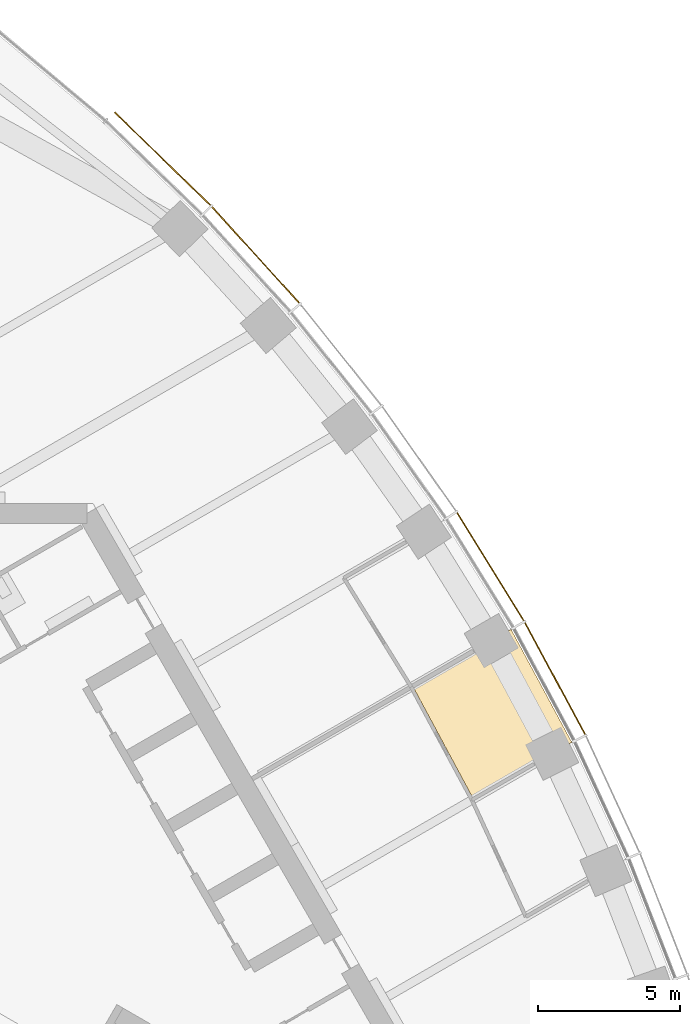
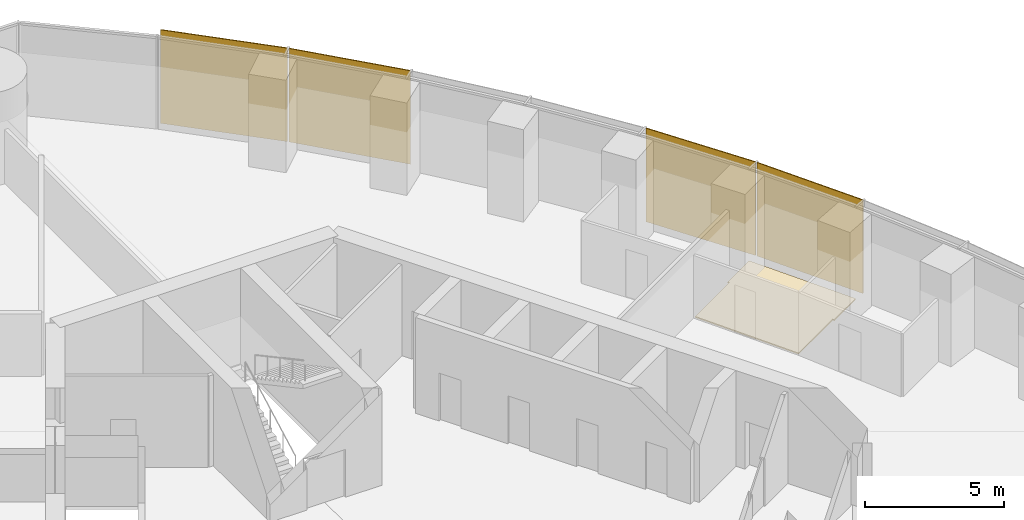
# One storey, part 13 of 15: 4 shading devices, 1 covering.
"""IFC4 building model written with IfcOpenShell, lengths in metres."""

from ifc_helpers import new_model, si_unit, direction, frame, origin, origin_2d, place, context, subcontext, project, spatial, polyline, rectangle, outline, extrude, material, layer, layer_set, type_object, element, save


model = new_model("IFC4")

# Units and contexts
model_context = context("Model", 3, precision=1e-05, world=origin(), true_north=direction((0.0, 1.0)))
body_context = subcontext(model_context, "Body", "Model", "MODEL_VIEW")
ifc_project = project(units=[si_unit("LENGTHUNIT", "METRE"), si_unit("AREAUNIT", "SQUARE_METRE"), si_unit("VOLUMEUNIT", "CUBIC_METRE"), si_unit("PLANEANGLEUNIT", "RADIAN"), si_unit("MASSUNIT", "GRAM", prefix="KILO")], contexts=[model_context])

# Site, building, storey
site_placement = place(None, origin())
site = spatial("IfcSite", under=ifc_project, at=site_placement, CompositionType="ELEMENT")
building_placement = place(site_placement, origin())
building = spatial("IfcBuilding", under=site, at=building_placement, Name="Trefoil Bronze Tower", CompositionType="ELEMENT")
storey_placement = place(building_placement, frame((0.0, 0.0, 288.89990234375)))
storey = spatial("IfcBuildingStorey", under=building, at=storey_placement, Name="L66", CompositionType="ELEMENT", Elevation=288.89990234375)

# Shading devices
ifc_material_1 = material(Name="Perforated bronze sheet", Category="bronze")
ifc_layer_1 = layer(ifc_material_1, 0.0400390625)
ifc_layer_set_1 = layer_set([ifc_layer_1], Name="Bronze solar screen panel")
shading_device_type = type_object("IfcShadingDeviceType", Name="Bronze solar screen panel", PredefinedType="SHUTTER", material=ifc_layer_set_1)
for number, where, z_axis, x_axis, name in (
    (1, (22.19775390625, 10.198974609375, 0.050048828125), (0.0, 0.0, 1.0), (-0.473562437085, 0.880760250115, 0.0), "Solar screen CW-A L66 F2 bay 5"),
    (2, (19.931396484375, 14.124267578125, 0.050048828125), (0.0, 0.0, 1.0), (-0.525979532701, 0.850497225851, 0.0), "Solar screen CW-A L66 F2 bay 6"),
):
    element("IfcShadingDevice", number, at=place(storey_placement, frame(where, z_axis=z_axis, x_axis=x_axis)), inside=storey, type_object=shading_device_type, Name=name, PredefinedType="SHUTTER", context=body_context, shape_type="SweptSolid", body=[
        extrude(rectangle(XDim=4.47216796875, YDim=0.0400390625, at=origin_2d()), origin(), (0.0, 0.0, 1.0), 4.10009765625),
    ])
shading_device_1_placement = place(storey_placement, frame((11.688720703125, 25.067138671875, 0.050048828125), z_axis=(0.0, 0.0, 1.0), x_axis=(-0.672115274615, 0.74044652584, 0.0)))
element("IfcShadingDevice", 3, at=shading_device_1_placement, inside=storey, type_object=shading_device_type, Name="Solar screen CW-A L66 F2 bay 9", PredefinedType="SHUTTER", context=body_context, shape_type="SweptSolid", body=[
    extrude(rectangle(XDim=4.574462890625, YDim=0.0400390625, at=origin_2d()), origin(), (0.0, 0.0, 1.0), 4.10009765625),
])
shading_device_2_placement = place(storey_placement, frame((8.42236328125, 28.443359375, 0.050048828125), z_axis=(0.0, 0.0, 1.0), x_axis=(-0.71721818561, 0.696848673839, 0.0)))
element("IfcShadingDevice", 4, at=shading_device_2_placement, inside=storey, type_object=shading_device_type, Name="Solar screen CW-A L66 F2 bay 10", PredefinedType="SHUTTER", context=body_context, shape_type="SweptSolid", body=[
    extrude(rectangle(XDim=4.697509765625, YDim=0.0400390625, at=origin_2d()), origin(), (0.0, 0.0, 1.0), 4.10009765625),
])

# Covering
ifc_material_2 = material(Name="Raised access floor panels", Category="steel")
ifc_layer_2 = layer(ifc_material_2, 0.050048828125)
ifc_layer_set_2 = layer_set([ifc_layer_2], Name="Raised access floor 150")
covering_type = type_object("IfcCoveringType", Name="Raised access floor 150", PredefinedType="FLOORING", material=ifc_layer_set_2)
covering_placement = place(storey_placement, frame((0.0, 0.0, 0.10009765625)))
element("IfcCovering", 5, at=covering_placement, inside=storey, type_object=covering_type, Name="Raised floor L66 Office F2", PredefinedType="FLOORING", context=body_context, shape_type="SweptSolid", body=[
    extrude(outline(polyline([(22.7880859375, 7.960693359375), (21.460693359375, 7.194091796875), (21.4306640625, 7.24609375), (19.30419921875, 6.018310546875), (17.236083984375, 9.86474609375), (19.36865234375, 11.095703125), (19.3310546875, 11.160888671875), (20.656005859375, 11.92578125), (22.7880859375, 7.960693359375)])), origin(), (0.0, 0.0, 1.0), 0.050048828125),
])

save(model, "model.ifc")
